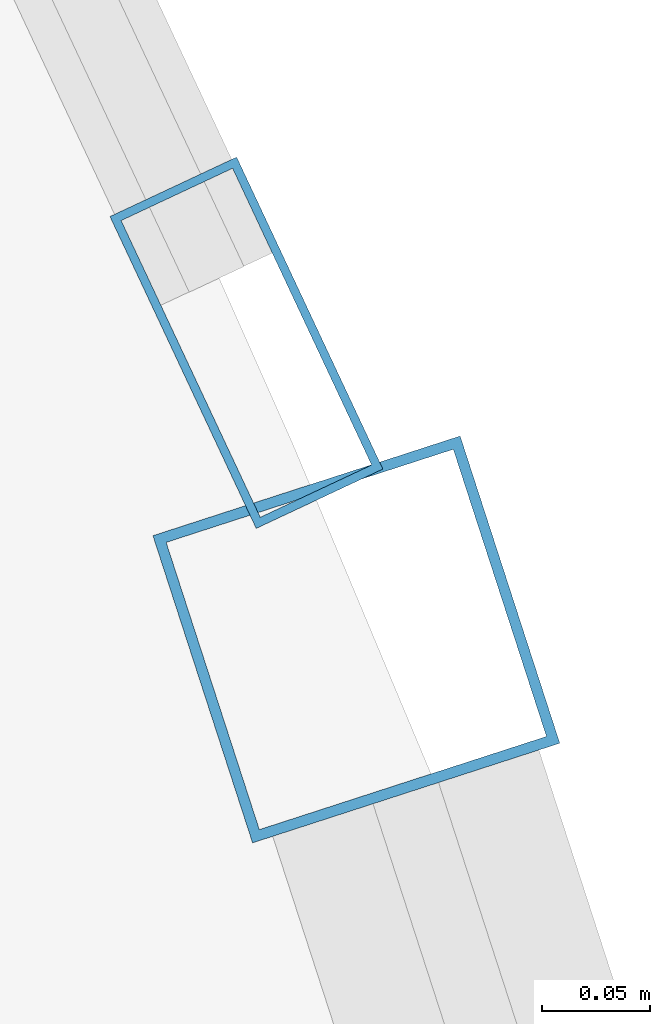
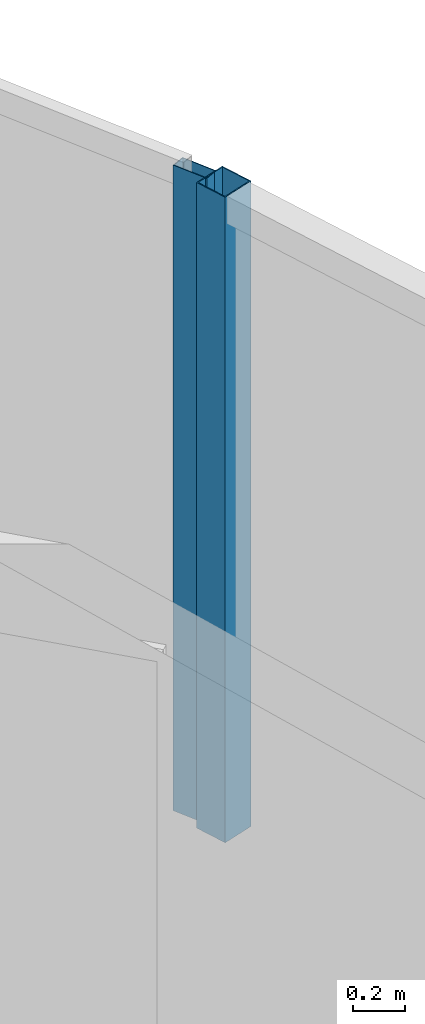
# One storey, part 18 of 33: 2 members, 2 elements without a shape of their own.
"""IFC4 building model written with IfcOpenShell, lengths in metres."""

from ifc_helpers import new_model, si_unit, direction, frame, origin, origin_2d, place, context, subcontext, project, spatial, hollow_rectangle, extrude, material, layer, layer_set, material_profile, profile_set, type_object, element, aggregate, save


model = new_model("IFC4")

# Units and contexts
model_context = context("Model", 3, precision=1e-05, world=origin(), true_north=direction((0.0, 1.0)))
body_context = subcontext(model_context, "Body", "Model", "MODEL_VIEW")
ifc_project = project(units=[si_unit("LENGTHUNIT", "METRE"), si_unit("AREAUNIT", "SQUARE_METRE"), si_unit("VOLUMEUNIT", "CUBIC_METRE"), si_unit("PLANEANGLEUNIT", "RADIAN"), si_unit("MASSUNIT", "GRAM", prefix="KILO")], contexts=[model_context])

# Site, building, storey
site_placement = place(None, origin())
site = spatial("IfcSite", under=ifc_project, at=site_placement, CompositionType="ELEMENT")
building_placement = place(site_placement, origin())
building = spatial("IfcBuilding", under=site, at=building_placement, Name="Orvanel Arch Residences", CompositionType="ELEMENT")
storey_placement = place(building_placement, frame((0.0, 0.0, 196.39990234375)))
storey = spatial("IfcBuildingStorey", under=building, at=storey_placement, Name="L55", CompositionType="ELEMENT", Elevation=196.39990234375)

# Curtain wall, member
ifc_material = material(Name="Bronze-anodised aluminium AA6063-T6", Category="aluminium")
ifc_layer_1 = layer(ifc_material, 0.18994140625)
ifc_layer_set_1 = layer_set([ifc_layer_1], Name="Bronze-anodised aluminium AA6063-T6")
curtain_wall_type_1 = type_object("IfcCurtainWallType", Name="CW5-CRN-SYS", PredefinedType="NOTDEFINED", material=ifc_layer_set_1)
curtain_wall_1_placement = place(storey_placement, origin())
curtain_wall_1 = element("IfcCurtainWall", 1, at=curtain_wall_1_placement, inside=storey, type_object=curtain_wall_type_1, Name="L55 CW5-CRN-SYS Unitised Curtain Wall", PredefinedType="NOTDEFINED")
ifc_material_profile_1 = material_profile(ifc_material, hollow_rectangle(XDim=0.14990234375, YDim=0.14990234375, WallThickness=0.0048828125, at=origin_2d()), Name="ALU150x150x5")
ifc_profile_set_1 = profile_set([ifc_material_profile_1], Name="Bronze-anodised aluminium AA6063-T6")
member_type_1 = type_object("IfcMemberType", Name="MUL-150x150", PredefinedType="MULLION", material=ifc_profile_set_1)
member_1_placement = place(storey_placement, frame((54.521240234375, 14.921630859375, 0.0), z_axis=(0.0, 0.0, 1.0), x_axis=(-0.951217039439, -0.308522517622, 0.0)))
member_1 = element("IfcMember", 2, at=member_1_placement, type_object=member_type_1, Name="CW-S5 mullion 2", PredefinedType="MULLION", context=body_context, shape_type="SweptSolid", body=[
    extrude(hollow_rectangle(XDim=0.14990234375, YDim=0.14990234375, WallThickness=0.0048828125, at=origin_2d()), origin(), (0.0, 0.0, 1.0), 3.06005859375),
])
aggregate(curtain_wall_1, [member_1])

ifc_layer_2 = layer(ifc_material, 0.175048828125)
ifc_layer_set_2 = layer_set([ifc_layer_2], Name="Bronze-anodised aluminium AA6063-T6")
curtain_wall_type_2 = type_object("IfcCurtainWallType", Name="CW4-HI-SYS", PredefinedType="NOTDEFINED", material=ifc_layer_set_2)
curtain_wall_2_placement = place(storey_placement, origin())
curtain_wall_2 = element("IfcCurtainWall", 3, at=curtain_wall_2_placement, inside=storey, type_object=curtain_wall_type_2, Name="L55 CW4-HI-SYS Unitised Curtain Wall", PredefinedType="NOTDEFINED")
ifc_material_profile_2 = material_profile(ifc_material, hollow_rectangle(XDim=0.06494140625, YDim=0.159912109375, WallThickness=0.00390625, at=origin_2d()), Name="ALU160x65x4")
ifc_profile_set_2 = profile_set([ifc_material_profile_2], Name="Bronze-anodised aluminium AA6063-T6")
member_type_2 = type_object("IfcMemberType", Name="MUL-160x65", PredefinedType="MULLION", material=ifc_profile_set_2)
member_2_placement = place(storey_placement, frame((54.47021484375, 15.059326171875, 0.0), z_axis=(0.0, 0.0, 1.0), x_axis=(-0.905430980596, -0.424493509228, 0.0)))
member_2 = element("IfcMember", 4, at=member_2_placement, type_object=member_type_2, Name="CW-S4 mullion 1", PredefinedType="MULLION", context=body_context, shape_type="SweptSolid", body=[
    extrude(hollow_rectangle(XDim=0.06494140625, YDim=0.159912109375, WallThickness=0.00390625, at=origin_2d()), origin(), (0.0, 0.0, 1.0), 3.06005859375),
])
aggregate(curtain_wall_2, [member_2])

save(model, "model.ifc")
